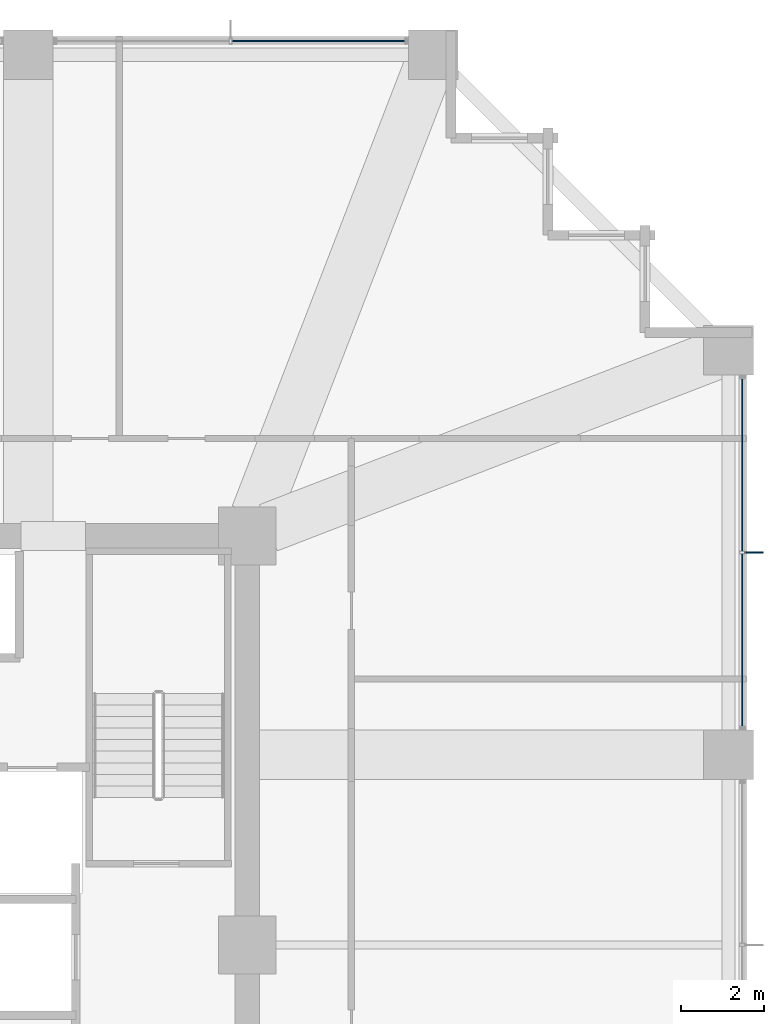
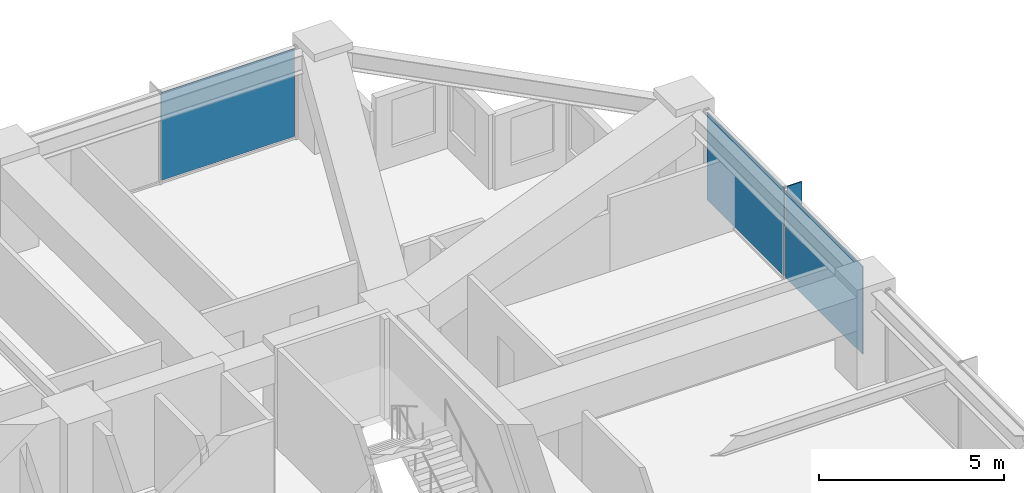
# One storey, part 31 of 37: 4 plates, 2 elements without a shape of their own.
"""IFC4 building model written with IfcOpenShell, lengths in metres."""

from ifc_helpers import new_model, si_unit, direction, frame, origin, origin_2d, place, context, subcontext, project, spatial, rectangle, extrude, material, layer, layer_set, type_object, element, aggregate, save


model = new_model("IFC4")

# Units and contexts
model_context = context("Model", 3, precision=1e-05, world=origin(), true_north=direction((0.0, 1.0)))
body_context = subcontext(model_context, "Body", "Model", "MODEL_VIEW")
ifc_project = project(units=[si_unit("LENGTHUNIT", "METRE"), si_unit("AREAUNIT", "SQUARE_METRE"), si_unit("VOLUMEUNIT", "CUBIC_METRE"), si_unit("PLANEANGLEUNIT", "RADIAN"), si_unit("MASSUNIT", "GRAM", prefix="KILO")], contexts=[model_context])

# Site, building, storey
site_placement = place(None, origin())
site = spatial("IfcSite", under=ifc_project, at=site_placement, CompositionType="ELEMENT")
building_placement = place(site_placement, origin())
building = spatial("IfcBuilding", under=site, at=building_placement, Name="Kolvaren Belvedere", CompositionType="ELEMENT")
storey_placement = place(building_placement, frame((0.0, 0.0, 37.0)))
storey = spatial("IfcBuildingStorey", under=building, at=storey_placement, Name="L10", CompositionType="ELEMENT", Elevation=37.0)

# Curtain wall, plates
ifc_material_1 = material(Name="Anodised pale-metal aluminium AA 6063-T6", Category="aluminium")
curtain_wall_type = type_object("IfcCurtainWallType", Name="CW-Z1-LOW", PredefinedType="NOTDEFINED", material=ifc_material_1)
curtain_wall_1_placement = place(storey_placement, origin())
curtain_wall_1 = element("IfcCurtainWall", 1, at=curtain_wall_1_placement, inside=storey, type_object=curtain_wall_type, Name="L10 Unitised Curtain Wall FCW-L10-E-B1", PredefinedType="NOTDEFINED")
ifc_material_2 = material(Name="Low-iron triple insulated glass", Category="glass")
ifc_layer_1 = layer(ifc_material_2, 0.028076171875)
ifc_layer_set_1 = layer_set([ifc_layer_1], Name="Low-iron triple insulated glass")
plate_type_1 = type_object("IfcPlateType", Name="CW-PNL-VIS28", PredefinedType="CURTAIN_PANEL", material=ifc_layer_set_1)
plate_1_placement = place(storey_placement, frame((21.8798828125, 11.62255859375, 0.080078125), z_axis=(0.0, 0.0, 1.0), x_axis=(0.0, -1.0, 0.0)))
plate_1 = element("IfcPlate", 2, at=plate_1_placement, type_object=plate_type_1, Name="FCW-L10-E-B1 Vision Glazing Panel 1", PredefinedType="CURTAIN_PANEL", context=body_context, shape_type="SweptSolid", body=[
    extrude(rectangle(XDim=4.1650390625, YDim=0.028076171875, at=origin_2d()), origin(), (0.0, 0.0, 1.0), 2.89990234375),
])
plate_2_placement = place(storey_placement, frame((21.8798828125, 7.37744140625, 0.080078125), z_axis=(0.0, 0.0, 1.0), x_axis=(0.0, -1.0, 0.0)))
plate_2 = element("IfcPlate", 3, at=plate_2_placement, type_object=plate_type_1, Name="FCW-L10-E-B1 Vision Glazing Panel 2", PredefinedType="CURTAIN_PANEL", context=body_context, shape_type="SweptSolid", body=[
    extrude(rectangle(XDim=4.1650390625, YDim=0.028076171875, at=origin_2d()), origin(), (0.0, 0.0, 1.0), 2.89990234375),
])
aggregate(curtain_wall_1, [plate_1, plate_2])

# Curtain wall, plate
curtain_wall_2_placement = place(storey_placement, origin())
curtain_wall_2 = element("IfcCurtainWall", 4, at=curtain_wall_2_placement, inside=storey, type_object=curtain_wall_type, Name="L10 Unitised Curtain Wall FCW-L10-N-B3", PredefinedType="NOTDEFINED")
plate_3_placement = place(storey_placement, frame((11.62255859375, 21.8798828125, 0.080078125), z_axis=(0.0, 0.0, 1.0), x_axis=(1.0, 0.0, 0.0)))
plate_3 = element("IfcPlate", 5, at=plate_3_placement, type_object=plate_type_1, Name="FCW-L10-N-B3 Vision Glazing Panel 2", PredefinedType="CURTAIN_PANEL", context=body_context, shape_type="SweptSolid", body=[
    extrude(rectangle(XDim=4.1650390625, YDim=0.028076171875, at=origin_2d()), origin(), (0.0, 0.0, 1.0), 2.89990234375),
])
aggregate(curtain_wall_2, [plate_3])

# Plate
ifc_material_3 = material(Name="Anodised pale-metal aluminium AA 6063-T6", Category="aluminium")
ifc_layer_2 = layer(ifc_material_3, 0.0380859375)
ifc_layer_set_2 = layer_set([ifc_layer_2], Name="Anodised pale-metal aluminium AA 6063-T6")
plate_type_2 = type_object("IfcPlateType", Name="FIN-VERT-450", PredefinedType="USERDEFINED", material=ifc_layer_set_2)
plate_4_placement = place(storey_placement, frame((22.1650390625, 9.5, 0.0), z_axis=(0.0, 0.0, 1.0), x_axis=(1.0, 0.0, 0.0)))
element("IfcPlate", 6, at=plate_4_placement, inside=storey, type_object=plate_type_2, Name="L10 Pale-Metal Vertical Shading Fin FCW-L10-E-B1-1", ObjectType="VERTICAL FIN", PredefinedType="USERDEFINED", context=body_context, shape_type="SweptSolid", body=[
    extrude(rectangle(XDim=0.449951171875, YDim=0.0380859375, at=origin_2d()), origin(), (0.0, 0.0, 1.0), 3.06005859375),
])

save(model, "model.ifc")
